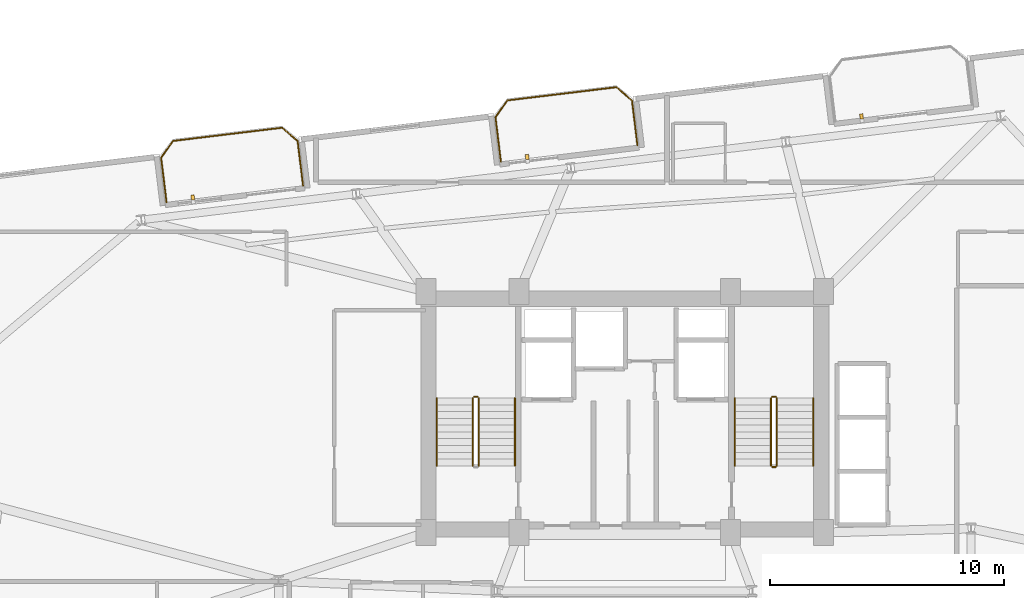
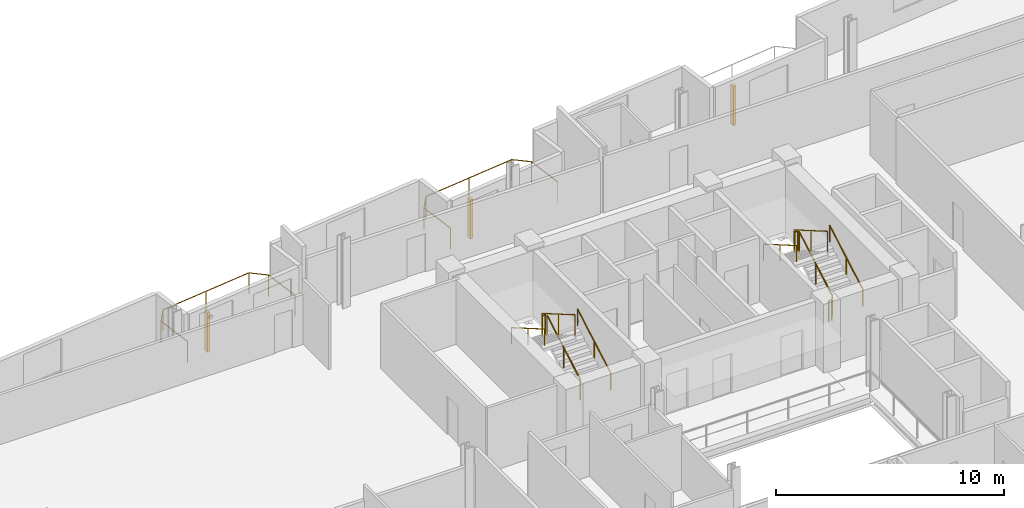
# One storey, part 23 of 24: 13 railings, 3 shading devices.
"""IFC4 building model written with IfcOpenShell, lengths in metres."""

from ifc_helpers import new_model, si_unit, direction, frame, origin, origin_2d, place, context, subcontext, project, spatial, rectangle, circle, extrude, source, transform, mapped, material, type_object, element, save


model = new_model("IFC4")

# Units and contexts
model_context = context("Model", 3, precision=1e-05, world=origin(), true_north=direction((0.0, 1.0)))
body_context = subcontext(model_context, "Body", "Model", "MODEL_VIEW")
ifc_project = project(units=[si_unit("LENGTHUNIT", "METRE"), si_unit("AREAUNIT", "SQUARE_METRE"), si_unit("VOLUMEUNIT", "CUBIC_METRE"), si_unit("PLANEANGLEUNIT", "RADIAN"), si_unit("MASSUNIT", "GRAM", prefix="KILO")], contexts=[model_context])

# Site, building, storey
site_placement = place(None, origin())
site = spatial("IfcSite", under=ifc_project, at=site_placement, CompositionType="ELEMENT")
building_placement = place(site_placement, origin())
building = spatial("IfcBuilding", under=site, at=building_placement, Name="Varnelok Gate Tower", CompositionType="ELEMENT")
storey_placement = place(building_placement, frame((0.0, 0.0, 196.800048828125)))
storey = spatial("IfcBuildingStorey", under=building, at=storey_placement, Name="L50", CompositionType="ELEMENT", Elevation=196.800048828125)

# Railings
ifc_material_1 = material(Name="Low-E Laminated Double Glazing IGU", Category="glass")
railing_type_1 = type_object("IfcRailingType", Name="RL-BALC-1150", PredefinedType="BALUSTRADE", material=ifc_material_1)
railing_1_placement = place(storey_placement, frame((19.603271484375, 42.869384765625, 0.0)))
element("IfcRailing", 1, at=railing_1_placement, inside=storey, type_object=railing_type_1, Name="L50 North Terrace Balustrade 4", PredefinedType="BALUSTRADE", context=body_context, shape_type="SweptSolid", body=[
    extrude(circle(Radius=0.02392578125, at=origin_2d()), frame((0.0, 0.0, 1.1259765625), z_axis=(-0.120418709125, 0.992723191274, 0.0), x_axis=(-0.992723191274, -0.120418709125, 0.0)), (0.0, 0.0, 1.0), 1.919921875),
    extrude(circle(Radius=0.02392578125, at=origin_2d()), frame((-0.231201171875, 1.906005859375, 1.1259765625), z_axis=(0.57815621837, 0.815926091726, 0.0), x_axis=(-0.815926091726, 0.57815621837, 0.0)), (0.0, 0.0, 1.0), 0.8779296875),
    extrude(circle(Radius=0.02392578125, at=origin_2d()), frame((0.2763671875, 2.622314453125, 1.1259765625), z_axis=(0.992730585037, 0.120357739811, 0.0), x_axis=(-0.120357739811, 0.992730585037, 0.0)), (0.0, 0.0, 1.0), 4.699951171875),
    extrude(circle(Radius=0.02392578125, at=origin_2d()), frame((4.942138671875, 3.18798828125, 1.1259765625), z_axis=(0.756285086452, -0.654242208979, 0.0), x_axis=(0.654242208979, 0.756285086452, 0.0)), (0.0, 0.0, 1.0), 0.878173828125),
    extrude(circle(Radius=0.02392578125, at=origin_2d()), frame((5.606201171875, 2.613525390625, 1.1259765625), z_axis=(0.120293392036, -0.992738384386, 0.0), x_axis=(0.992738384386, 0.120293392036, 0.0)), (0.0, 0.0, 1.0), 1.919921875),
    extrude(circle(Radius=0.02099609375, at=origin_2d()), origin(), (0.0, 0.0, 1.0), 1.101806640625),
    extrude(circle(Radius=0.02099609375, at=origin_2d()), frame((-0.231201171875, 1.906005859375, 0.0)), (0.0, 0.0, 1.0), 1.101806640625),
    extrude(circle(Radius=0.02099609375, at=origin_2d()), frame((0.2763671875, 2.622314453125, 0.0)), (0.0, 0.0, 1.0), 1.101806640625),
    extrude(circle(Radius=0.02099609375, at=origin_2d()), frame((2.609375, 2.9052734375, 0.0)), (0.0, 0.0, 1.0), 1.101806640625),
    extrude(circle(Radius=0.02099609375, at=origin_2d()), frame((4.942138671875, 3.18798828125, 0.0)), (0.0, 0.0, 1.0), 1.101806640625),
    extrude(circle(Radius=0.02099609375, at=origin_2d()), frame((5.606201171875, 2.613525390625, 0.0)), (0.0, 0.0, 1.0), 1.101806640625),
    extrude(circle(Radius=0.02099609375, at=origin_2d()), frame((5.837158203125, 0.70751953125, 0.0)), (0.0, 0.0, 1.0), 1.101806640625),
])
railing_2_placement = place(storey_placement, frame((33.8984375, 44.602294921875, 0.0)))
element("IfcRailing", 2, at=railing_2_placement, inside=storey, type_object=railing_type_1, Name="L50 North Terrace Balustrade 5", PredefinedType="BALUSTRADE", context=body_context, shape_type="SweptSolid", body=[
    extrude(circle(Radius=0.02392578125, at=origin_2d()), frame((0.0, 0.0, 1.1259765625), z_axis=(-0.120293392036, 0.992738384386, 0.0), x_axis=(-0.992738384386, -0.120293392036, 0.0)), (0.0, 0.0, 1.0), 1.919921875),
    extrude(circle(Radius=0.02392578125, at=origin_2d()), frame((-0.23095703125, 1.906005859375, 1.1259765625), z_axis=(0.57815621837, 0.815926091726, 0.0), x_axis=(-0.815926091726, 0.57815621837, 0.0)), (0.0, 0.0, 1.0), 0.8779296875),
    extrude(circle(Radius=0.02392578125, at=origin_2d()), frame((0.276611328125, 2.622314453125, 1.1259765625), z_axis=(0.992730585037, 0.120357739811, 0.0), x_axis=(-0.120357739811, 0.992730585037, 0.0)), (0.0, 0.0, 1.0), 4.699951171875),
    extrude(circle(Radius=0.02392578125, at=origin_2d()), frame((4.9423828125, 3.18798828125, 1.1259765625), z_axis=(0.756303655992, -0.654220742513, 0.0), x_axis=(0.654220742513, 0.756303655992, 0.0)), (0.0, 0.0, 1.0), 0.877685546875),
    extrude(circle(Radius=0.02392578125, at=origin_2d()), frame((5.606201171875, 2.61376953125, 1.1259765625), z_axis=(0.12040351024, -0.992725034802, 0.0), x_axis=(0.992725034802, 0.12040351024, 0.0)), (0.0, 0.0, 1.0), 1.920166015625),
    extrude(circle(Radius=0.02099609375, at=origin_2d()), origin(), (0.0, 0.0, 1.0), 1.101806640625),
    extrude(circle(Radius=0.02099609375, at=origin_2d()), frame((-0.23095703125, 1.906005859375, 0.0)), (0.0, 0.0, 1.0), 1.101806640625),
    extrude(circle(Radius=0.02099609375, at=origin_2d()), frame((0.276611328125, 2.622314453125, 0.0)), (0.0, 0.0, 1.0), 1.101806640625),
    extrude(circle(Radius=0.02099609375, at=origin_2d()), frame((2.609375, 2.9052734375, 0.0)), (0.0, 0.0, 1.0), 1.101806640625),
    extrude(circle(Radius=0.02099609375, at=origin_2d()), frame((4.9423828125, 3.18798828125, 0.0)), (0.0, 0.0, 1.0), 1.101806640625),
    extrude(circle(Radius=0.02099609375, at=origin_2d()), frame((5.606201171875, 2.61376953125, 0.0)), (0.0, 0.0, 1.0), 1.101806640625),
    extrude(circle(Radius=0.02099609375, at=origin_2d()), frame((5.83740234375, 0.70751953125, 0.0)), (0.0, 0.0, 1.0), 1.101806640625),
])
ifc_material_2 = material(Name="Brushed Stainless Steel AISI 316", Category="steel")
railing_type_2 = type_object("IfcRailingType", Name="RL-HANDRAIL-900", PredefinedType="HANDRAIL", material=ifc_material_2)
railing_3_placement = place(storey_placement, frame((34.5, 31.60009765625, 0.168212890625)))
element("IfcRailing", 3, at=railing_3_placement, inside=storey, type_object=railing_type_2, Name="L50 ST-1 stair handrail 1", PredefinedType="HANDRAIL", context=body_context, shape_type="SweptSolid", body=[
    extrude(circle(Radius=0.02392578125, at=origin_2d()), frame((0.0, 0.0, 0.8759765625), z_axis=(0.0, 0.86507038078, 0.501650512107), x_axis=(-1.0, 0.0, 0.0)), (0.0, 0.0, 1.0), 3.352294921875),
    extrude(circle(Radius=0.02099609375, at=origin_2d()), origin(), (0.0, 0.0, 1.0), 0.851806640625),
    extrude(circle(Radius=0.02099609375, at=origin_2d()), frame((0.0, 1.449951171875, 0.8408203125)), (0.0, 0.0, 1.0), 0.851806640625),
    extrude(circle(Radius=0.02099609375, at=origin_2d()), frame((0.0, 2.89990234375, 1.681640625)), (0.0, 0.0, 1.0), 0.851806640625),
])
railing_4_placement = place(storey_placement, frame((31.14990234375, 34.5, 2.01806640625)))
element("IfcRailing", 4, at=railing_4_placement, inside=storey, type_object=railing_type_2, Name="L50 ST-1 stair handrail 2", PredefinedType="HANDRAIL", context=body_context, shape_type="SweptSolid", body=[
    extrude(circle(Radius=0.02392578125, at=origin_2d()), frame((0.0, 0.0, 0.8759765625), z_axis=(0.0, -0.865038774852, 0.501705010941), x_axis=(1.0, 0.0, 0.0)), (0.0, 0.0, 1.0), 3.352294921875),
    extrude(circle(Radius=0.02099609375, at=origin_2d()), origin(), (0.0, 0.0, 1.0), 0.851806640625),
    extrude(circle(Radius=0.02099609375, at=origin_2d()), frame((0.0, -1.449951171875, 0.8408203125)), (0.0, 0.0, 1.0), 0.851806640625),
    extrude(circle(Radius=0.02099609375, at=origin_2d()), frame((0.0, -2.89990234375, 1.681884765625)), (0.0, 0.0, 1.0), 0.851806640625),
])
railing_5_placement = place(storey_placement, frame((47.25, 31.60009765625, 0.168212890625)))
element("IfcRailing", 5, at=railing_5_placement, inside=storey, type_object=railing_type_2, Name="L50 ST-2 stair handrail 1", PredefinedType="HANDRAIL", context=body_context, shape_type="SweptSolid", body=[
    extrude(circle(Radius=0.02392578125, at=origin_2d()), frame((0.0, 0.0, 0.8759765625), z_axis=(0.0, 0.86507038078, 0.501650512107), x_axis=(-1.0, 0.0, 0.0)), (0.0, 0.0, 1.0), 3.352294921875),
    extrude(circle(Radius=0.02099609375, at=origin_2d()), origin(), (0.0, 0.0, 1.0), 0.851806640625),
    extrude(circle(Radius=0.02099609375, at=origin_2d()), frame((0.0, 1.449951171875, 0.8408203125)), (0.0, 0.0, 1.0), 0.851806640625),
    extrude(circle(Radius=0.02099609375, at=origin_2d()), frame((0.0, 2.89990234375, 1.681640625)), (0.0, 0.0, 1.0), 0.851806640625),
])
railing_6_placement = place(storey_placement, frame((43.89990234375, 34.5, 2.01806640625)))
element("IfcRailing", 6, at=railing_6_placement, inside=storey, type_object=railing_type_2, Name="L50 ST-2 stair handrail 2", PredefinedType="HANDRAIL", context=body_context, shape_type="SweptSolid", body=[
    extrude(circle(Radius=0.02392578125, at=origin_2d()), frame((0.0, 0.0, 0.8759765625), z_axis=(0.0, -0.865038774852, 0.501705010941), x_axis=(1.0, 0.0, 0.0)), (0.0, 0.0, 1.0), 3.352294921875),
    extrude(circle(Radius=0.02099609375, at=origin_2d()), origin(), (0.0, 0.0, 1.0), 0.851806640625),
    extrude(circle(Radius=0.02099609375, at=origin_2d()), frame((0.0, -1.449951171875, 0.8408203125)), (0.0, 0.0, 1.0), 0.851806640625),
    extrude(circle(Radius=0.02099609375, at=origin_2d()), frame((0.0, -2.89990234375, 1.681884765625)), (0.0, 0.0, 1.0), 0.851806640625),
])
ifc_material_3 = material(Name="Galvanized Steel Grade S350GD", Category="steel")
railing_type_3 = type_object("IfcRailingType", Name="RL-STAIR-GUARD1120", PredefinedType="GUARDRAIL", material=ifc_material_3)
railing_7_placement = place(storey_placement, frame((32.949951171875, 31.60009765625, 0.168212890625)))
element("IfcRailing", 7, at=railing_7_placement, inside=storey, type_object=railing_type_3, Name="L50 ST-1 stair guard 1", PredefinedType="GUARDRAIL", context=body_context, shape_type="SweptSolid", body=[
    extrude(circle(Radius=0.02392578125, at=origin_2d()), frame((0.0, 0.0, 1.09619140625), z_axis=(0.0, 0.86507038078, 0.501650512107), x_axis=(-1.0, 0.0, 0.0)), (0.0, 0.0, 1.0), 3.352294921875),
    extrude(circle(Radius=0.02099609375, at=origin_2d()), origin(), (0.0, 0.0, 1.0), 1.072021484375),
    extrude(circle(Radius=0.02099609375, at=origin_2d()), frame((0.0, 1.449951171875, 0.8408203125)), (0.0, 0.0, 1.0), 1.072021484375),
    extrude(circle(Radius=0.02099609375, at=origin_2d()), frame((0.0, 2.89990234375, 1.681640625)), (0.0, 0.0, 1.0), 1.072021484375),
])
railing_8_placement = place(storey_placement, frame((32.89990234375, 34.550048828125, 1.849853515625)))
element("IfcRailing", 8, at=railing_8_placement, inside=storey, type_object=railing_type_3, Name="L50 ST-1 stair guard 2", PredefinedType="GUARDRAIL", context=body_context, shape_type="SweptSolid", body=[
    extrude(circle(Radius=0.02392578125, at=origin_2d()), frame((0.0, 0.0, 1.09619140625), z_axis=(-1.0, 0.0, 0.0), x_axis=(0.0, -1.0, 0.0)), (0.0, 0.0, 1.0), 0.14990234375),
    extrude(circle(Radius=0.02099609375, at=origin_2d()), origin(), (0.0, 0.0, 1.0), 1.072021484375),
    extrude(circle(Radius=0.02099609375, at=origin_2d()), frame((-0.14990234375, 0.0, 0.0)), (0.0, 0.0, 1.0), 1.072021484375),
])
railing_9_placement = place(storey_placement, frame((32.699951171875, 34.5, 2.01806640625)))
element("IfcRailing", 9, at=railing_9_placement, inside=storey, type_object=railing_type_3, Name="L50 ST-1 stair guard 3", PredefinedType="GUARDRAIL", context=body_context, shape_type="SweptSolid", body=[
    extrude(circle(Radius=0.02392578125, at=origin_2d()), frame((0.0, 0.0, 1.09619140625), z_axis=(0.0, -0.865038774852, 0.501705010941), x_axis=(1.0, 0.0, 0.0)), (0.0, 0.0, 1.0), 3.352294921875),
    extrude(circle(Radius=0.02099609375, at=origin_2d()), origin(), (0.0, 0.0, 1.0), 1.072021484375),
    extrude(circle(Radius=0.02099609375, at=origin_2d()), frame((0.0, -1.449951171875, 0.8408203125)), (0.0, 0.0, 1.0), 1.072021484375),
    extrude(circle(Radius=0.02099609375, at=origin_2d()), frame((0.0, -2.89990234375, 1.681884765625)), (0.0, 0.0, 1.0), 1.072021484375),
])
railing_10_placement = place(storey_placement, frame((45.699951171875, 31.60009765625, 0.168212890625)))
element("IfcRailing", 10, at=railing_10_placement, inside=storey, type_object=railing_type_3, Name="L50 ST-2 stair guard 1", PredefinedType="GUARDRAIL", context=body_context, shape_type="SweptSolid", body=[
    extrude(circle(Radius=0.02392578125, at=origin_2d()), frame((0.0, 0.0, 1.09619140625), z_axis=(0.0, 0.86507038078, 0.501650512107), x_axis=(-1.0, 0.0, 0.0)), (0.0, 0.0, 1.0), 3.352294921875),
    extrude(circle(Radius=0.02099609375, at=origin_2d()), origin(), (0.0, 0.0, 1.0), 1.072021484375),
    extrude(circle(Radius=0.02099609375, at=origin_2d()), frame((0.0, 1.449951171875, 0.8408203125)), (0.0, 0.0, 1.0), 1.072021484375),
    extrude(circle(Radius=0.02099609375, at=origin_2d()), frame((0.0, 2.89990234375, 1.681640625)), (0.0, 0.0, 1.0), 1.072021484375),
])
railing_11_placement = place(storey_placement, frame((45.64990234375, 34.550048828125, 1.849853515625)))
element("IfcRailing", 11, at=railing_11_placement, inside=storey, type_object=railing_type_3, Name="L50 ST-2 stair guard 2", PredefinedType="GUARDRAIL", context=body_context, shape_type="SweptSolid", body=[
    extrude(circle(Radius=0.02392578125, at=origin_2d()), frame((0.0, 0.0, 1.09619140625), z_axis=(-1.0, 0.0, 0.0), x_axis=(0.0, -1.0, 0.0)), (0.0, 0.0, 1.0), 0.14990234375),
    extrude(circle(Radius=0.02099609375, at=origin_2d()), origin(), (0.0, 0.0, 1.0), 1.072021484375),
    extrude(circle(Radius=0.02099609375, at=origin_2d()), frame((-0.14990234375, 0.0, 0.0)), (0.0, 0.0, 1.0), 1.072021484375),
])
railing_12_placement = place(storey_placement, frame((45.449951171875, 34.5, 2.01806640625)))
element("IfcRailing", 12, at=railing_12_placement, inside=storey, type_object=railing_type_3, Name="L50 ST-2 stair guard 3", PredefinedType="GUARDRAIL", context=body_context, shape_type="SweptSolid", body=[
    extrude(circle(Radius=0.02392578125, at=origin_2d()), frame((0.0, 0.0, 1.09619140625), z_axis=(0.0, -0.865038774852, 0.501705010941), x_axis=(1.0, 0.0, 0.0)), (0.0, 0.0, 1.0), 3.352294921875),
    extrude(circle(Radius=0.02099609375, at=origin_2d()), origin(), (0.0, 0.0, 1.0), 1.072021484375),
    extrude(circle(Radius=0.02099609375, at=origin_2d()), frame((0.0, -1.449951171875, 0.8408203125)), (0.0, 0.0, 1.0), 1.072021484375),
    extrude(circle(Radius=0.02099609375, at=origin_2d()), frame((0.0, -2.89990234375, 1.681884765625)), (0.0, 0.0, 1.0), 1.072021484375),
])
railing_13_placement = place(storey_placement, frame((45.64990234375, 31.550048828125, 0.0)))
element("IfcRailing", 13, at=railing_13_placement, inside=storey, type_object=railing_type_3, Name="L50 ST-2 stair guard 4", PredefinedType="GUARDRAIL", context=body_context, shape_type="SweptSolid", body=[
    extrude(circle(Radius=0.02392578125, at=origin_2d()), frame((0.0, 0.0, 1.09619140625), z_axis=(-1.0, 0.0, 0.0), x_axis=(0.0, -1.0, 0.0)), (0.0, 0.0, 1.0), 0.14990234375),
    extrude(circle(Radius=0.02099609375, at=origin_2d()), origin(), (0.0, 0.0, 1.0), 1.072021484375),
    extrude(circle(Radius=0.02099609375, at=origin_2d()), frame((-0.14990234375, 0.0, 0.0)), (0.0, 0.0, 1.0), 1.072021484375),
])

# Shading devices
ifc_material_4 = material(Name="Glazed Architectural Terracotta Ceramic", Category="masonry")
shading_device_type = type_object("IfcShadingDeviceType", Name="SHD-TERRA-BAGUETTE", PredefinedType="USERDEFINED", material=ifc_material_4)
shared_shape = source(origin(), body_context, "Body", "SweptSolid", [
    extrude(rectangle(XDim=0.139892578125, YDim=0.219970703125, at=origin_2d()), origin(), (0.0, 0.0, 1.0), 2.10009765625),
])
for number, where, z_axis, x_axis, name in (
    (14, (20.7265625, 43.075927734375, 0.099853515625), (0.0, 0.0, 1.0), (0.992732158755, 0.12034475881, 0.0), "L50 Terracotta Ceramic Baguette Sunscreen 4.1"),
    (15, (35.021728515625, 44.80908203125, 0.099853515625), (0.0, 0.0, 1.0), (0.992732158755, 0.12034475881, 0.0), "L50 Terracotta Ceramic Baguette Sunscreen 5.1"),
    (16, (49.317138671875, 46.5419921875, 0.099853515625), (0.0, 0.0, 1.0), (0.992732158755, 0.12034475881, 0.0), "L50 Terracotta Ceramic Baguette Sunscreen 6.1"),
):
    element("IfcShadingDevice", number, at=place(storey_placement, frame(where, z_axis=z_axis, x_axis=x_axis)), inside=storey, type_object=shading_device_type, Name=name, ObjectType="BAGUETTE", PredefinedType="USERDEFINED", context=body_context, shape_type="MappedRepresentation", body=[
        mapped(shared_shape, transform((0.0, 0.0, 0.0), scale=1.0)),
    ])

save(model, "model.ifc")
